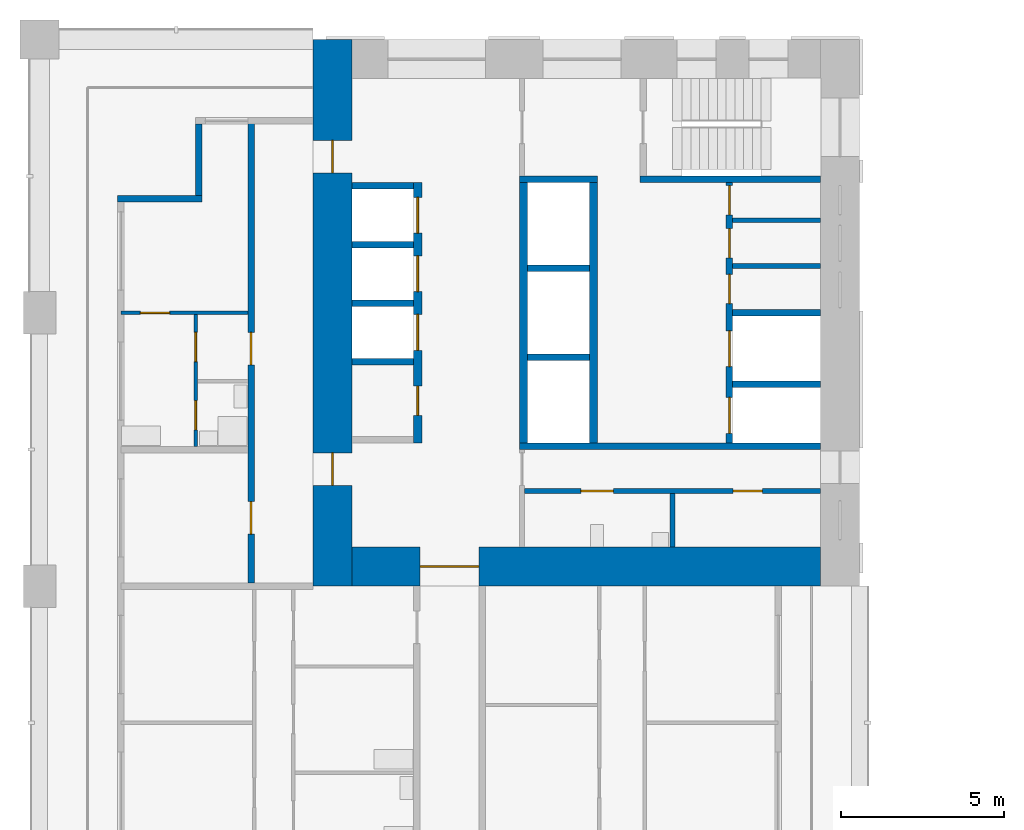
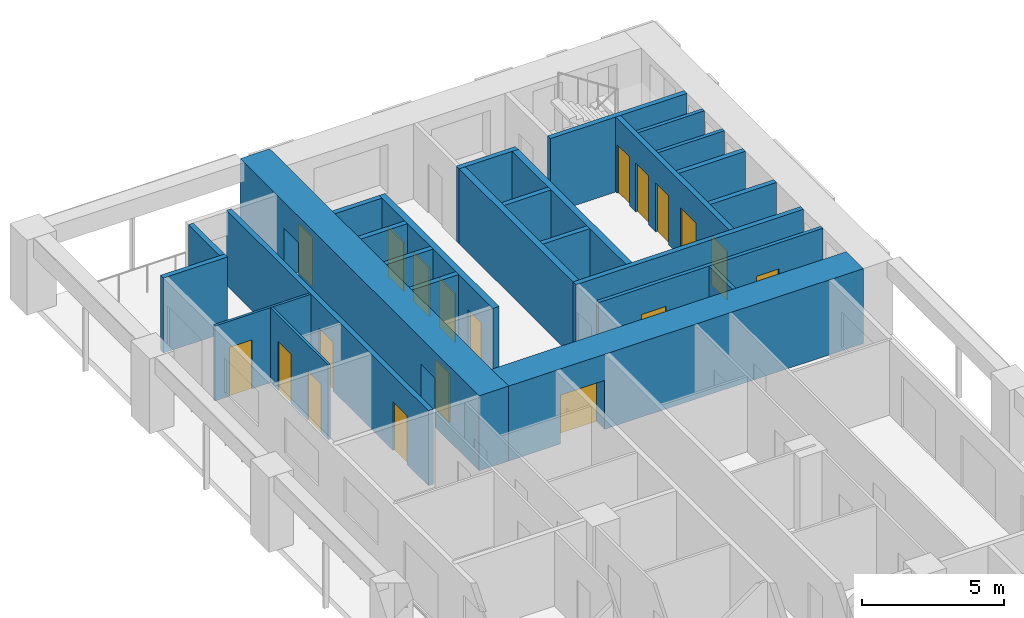
# One storey, part 7 of 17: 26 walls, 19 doors, 19 openings.
"""IFC4 building model written with IfcOpenShell, lengths in metres."""

from ifc_helpers import new_model, si_unit, direction, frame, frame_2d, origin, place, context, subcontext, project, spatial, rectangle, extrude, material, layer, layer_set, type_object, element, fill, save


model = new_model("IFC4")

# Units and contexts
model_context = context("Model", 3, precision=1e-05, world=origin(), true_north=direction((0.0, 1.0)))
body_context = subcontext(model_context, "Body", "Model", "MODEL_VIEW")
ifc_project = project(units=[si_unit("LENGTHUNIT", "METRE"), si_unit("AREAUNIT", "SQUARE_METRE"), si_unit("VOLUMEUNIT", "CUBIC_METRE"), si_unit("PLANEANGLEUNIT", "RADIAN"), si_unit("MASSUNIT", "GRAM", prefix="KILO")], contexts=[model_context])

# Site, building, storey
site_placement = place(None, origin())
site = spatial("IfcSite", under=ifc_project, at=site_placement, CompositionType="ELEMENT")
building_placement = place(site_placement, origin())
building = spatial("IfcBuilding", under=site, at=building_placement, Name="Vermilion Gate Residences", CompositionType="ELEMENT")
storey_placement = place(building_placement, frame((0.0, 0.0, 112.699951171875)))
storey = spatial("IfcBuildingStorey", under=building, at=storey_placement, Name="L28", CompositionType="ELEMENT", Elevation=112.699951171875)

# Walls
ifc_material_1 = material(Name="Masonry blockwork", Category="masonry")
ifc_layer_1 = layer(ifc_material_1, 0.14990234375)
ifc_layer_set_1 = layer_set([ifc_layer_1], Name="BLOCKWORK PARTITION 150 EI 120")
wall_type_1 = type_object("IfcWallType", Name="BLOCKWORK PARTITION 150 EI 120", PredefinedType="PARTITIONING", material=ifc_layer_set_1)
for number, where, z_axis, x_axis, name in (
    (1, (21.300048828125, 53.2451171875, 0.0), (0.0, 0.0, 1.0), (1.0, 0.0, 0.0), "Core room partition B28-NR-P0"),
    (2, (21.300048828125, 51.8349609375, 0.0), (0.0, 0.0, 1.0), (1.0, 0.0, 0.0), "Core room partition B28-NR-P1"),
):
    element("IfcWall", number, at=place(storey_placement, frame(where, z_axis=z_axis, x_axis=x_axis)), inside=storey, type_object=wall_type_1, Name=name, PredefinedType="PARTITIONING", context=body_context, shape_type="SweptSolid", body=[
        extrude(rectangle(XDim=2.699951171875, YDim=0.14990234375, at=frame_2d((1.35009765625, 0.0))), origin(), (0.0, 0.0, 1.0), 3.219970703125),
    ])
wall_1_placement = place(storey_placement, frame((19.449951171875, 44.85009765625, 0.0), z_axis=(0.0, 0.0, 1.0), x_axis=(0.0, -1.0, 0.0)))
element("IfcWall", 3, at=wall_1_placement, inside=storey, type_object=wall_type_1, Name="Core room partition B28-ES-P0", PredefinedType="PARTITIONING", context=body_context, shape_type="SweptSolid", body=[
    extrude(rectangle(XDim=1.650146484375, YDim=0.14990234375, at=frame_2d((0.8251953125, 0.0))), origin(), (0.0, 0.0, 1.0), 3.219970703125),
])

# Wall, openings, doors
wall_2_placement = place(storey_placement, frame((14.89990234375, 44.925048828125, 0.0), z_axis=(0.0, 0.0, 1.0), x_axis=(1.0, 0.0, 0.0)))
wall_2 = element("IfcWall", 4, at=wall_2_placement, inside=storey, type_object=wall_type_1, Name="Core room partition B28-ES-W", PredefinedType="PARTITIONING", context=body_context, shape_type="SweptSolid", body=[
    extrude(rectangle(XDim=9.10009765625, YDim=0.14990234375, at=frame_2d((4.550048828125, 0.0))), origin(), (0.0, 0.0, 1.0), 3.219970703125),
])
opening_1_placement = place(wall_2_placement, frame((1.737548828125, 0.0, 0.0)))
opening_1 = element("IfcOpeningElement", 5, at=opening_1_placement, cuts=wall_2, Name="Opening DK28116", PredefinedType="OPENING", context=body_context, shape_type="SweptSolid", body=[
    extrude(rectangle(XDim=1.0, YDim=2.10009765625, at=frame_2d((0.5, 1.050048828125))), frame((0.0, 0.0849609375, 0.0), z_axis=(0.0, -1.0, 0.0), x_axis=(1.0, 0.0, 0.0)), (0.0, 0.0, 1.0), 0.169921875),
])
opening_2_placement = place(wall_2_placement, frame((6.41259765625, 0.0, 0.0)))
opening_2 = element("IfcOpeningElement", 6, at=opening_2_placement, cuts=wall_2, Name="Opening DK28117", PredefinedType="OPENING", context=body_context, shape_type="SweptSolid", body=[
    extrude(rectangle(XDim=0.89990234375, YDim=2.10009765625, at=frame_2d((0.449951171875, 1.050048828125))), frame((0.0, 0.0849609375, 0.0), z_axis=(0.0, -1.0, 0.0), x_axis=(1.0, 0.0, 0.0)), (0.0, 0.0, 1.0), 0.169921875),
])
ifc_material_2 = material(Name="Steel", Category="steel")
door_type_1 = type_object("IfcDoorType", Name="FIRE DOOR FD60 1000 X 2100", OperationType="SINGLE_SWING_LEFT", PredefinedType="DOOR", material=ifc_material_2)
door_1_placement = place(opening_1_placement, frame((1.0, 0.0, 0.0), z_axis=(0.0, 0.0, 1.0), x_axis=(-1.0, 0.0, 0.0)))
door_1 = element("IfcDoor", 7, at=door_1_placement, inside=storey, type_object=door_type_1, Name="Accessible WC B28", OperationType="SINGLE_SWING_RIGHT", OverallHeight=2.10009765625, OverallWidth=1.0, PredefinedType="DOOR", context=body_context, shape_type="SweptSolid", body=[
    extrude(rectangle(XDim=1.0, YDim=2.10009765625, at=frame_2d((0.5, 1.050048828125))), frame((0.0, 0.02490234375, 0.0), z_axis=(0.0, -1.0, 0.0), x_axis=(1.0, 0.0, 0.0)), (0.0, 0.0, 1.0), 0.050048828125),
])
fill(opening_1, door_1)
ifc_material_3 = material(Name="Steel", Category="steel")
door_type_2 = type_object("IfcDoorType", Name="SERVICE ROOM DOOR FD60 900 X 2100", OperationType="SINGLE_SWING_LEFT", PredefinedType="DOOR", material=ifc_material_3)
door_2_placement = place(opening_2_placement, frame((0.89990234375, 0.0, 0.0), z_axis=(0.0, 0.0, 1.0), x_axis=(-1.0, 0.0, 0.0)))
door_2 = element("IfcDoor", 8, at=door_2_placement, inside=storey, type_object=door_type_2, Name="Refuse room B28", OperationType="SINGLE_SWING_RIGHT", OverallHeight=2.10009765625, OverallWidth=0.89990234375, PredefinedType="DOOR", context=body_context, shape_type="SweptSolid", body=[
    extrude(rectangle(XDim=0.89990234375, YDim=2.10009765625, at=frame_2d((0.449951171875, 1.050048828125))), frame((0.0, 0.02490234375, 0.0), z_axis=(0.0, -1.0, 0.0), x_axis=(1.0, 0.0, 0.0)), (0.0, 0.0, 1.0), 0.050048828125),
])
fill(opening_2, door_2)

# Walls
ifc_material_4 = material(Name="Insulated steel stud wall with terracotta rainscreen", Category="masonry")
ifc_layer_2 = layer(ifc_material_4, 0.199951171875)
ifc_layer_set_2 = layer_set([ifc_layer_2], Name="EXTERNAL WALL 200 TERRACOTTA RAINSCREEN")
wall_type_2 = type_object("IfcWallType", Name="EXTERNAL WALL 200 TERRACOTTA RAINSCREEN", PredefinedType="SOLIDWALL", material=ifc_layer_set_2)
wall_3_placement = place(storey_placement, frame((4.89990234375, 56.199951171875, 0.0), z_axis=(0.0, 0.0, 1.0), x_axis=(0.0, -1.0, 0.0)))
element("IfcWall", 9, at=wall_3_placement, inside=storey, type_object=wall_type_2, Name="External wall", PredefinedType="SOLIDWALL", context=body_context, shape_type="SweptSolid", body=[
    extrude(rectangle(XDim=2.199951171875, YDim=0.199951171875, at=frame_2d((1.10009765625, 0.0))), origin(), (0.0, 0.0, 1.0), 3.219970703125),
])
wall_4_placement = place(storey_placement, frame((5.0, 53.89990234375, 0.0), z_axis=(0.0, 0.0, 1.0), x_axis=(-1.0, 0.0, 0.0)))
element("IfcWall", 10, at=wall_4_placement, inside=storey, type_object=wall_type_2, Name="External wall", PredefinedType="SOLIDWALL", context=body_context, shape_type="SweptSolid", body=[
    extrude(rectangle(XDim=2.60009765625, YDim=0.199951171875, at=frame_2d((1.300048828125, 0.0))), origin(), (0.0, 0.0, 1.0), 3.219970703125),
])

# Wall, opening, door
ifc_material_5 = material(Name="Plasterboard on steel studs", Category="steel")
ifc_layer_3 = layer(ifc_material_5, 0.10009765625)
ifc_layer_set_3 = layer_set([ifc_layer_3], Name="PARTITION 100")
wall_type_3 = type_object("IfcWallType", Name="PARTITION 100", PredefinedType="PARTITIONING", material=ifc_layer_set_3)
wall_5_placement = place(storey_placement, frame((2.5, 50.39990234375, 0.0), z_axis=(0.0, 0.0, 1.0), x_axis=(1.0, 0.0, 0.0)))
wall_5 = element("IfcWall", 11, at=wall_5_placement, inside=storey, type_object=wall_type_3, Name="Partition", PredefinedType="PARTITIONING", context=body_context, shape_type="SweptSolid", body=[
    extrude(rectangle(XDim=3.89990234375, YDim=0.10009765625, at=frame_2d((1.949951171875, 0.0))), origin(), (0.0, 0.0, 1.0), 3.219970703125),
])
opening_3_placement = place(wall_5_placement, frame((0.60009765625, 0.0, 0.0)))
opening_3 = element("IfcOpeningElement", 12, at=opening_3_placement, cuts=wall_5, Name="Opening DA28019", PredefinedType="OPENING", context=body_context, shape_type="SweptSolid", body=[
    extrude(rectangle(XDim=0.89990234375, YDim=2.10009765625, at=frame_2d((0.449951171875, 1.050048828125))), frame((0.0, 0.06005859375, 0.0), z_axis=(0.0, -1.0, 0.0), x_axis=(1.0, 0.0, 0.0)), (0.0, 0.0, 1.0), 0.1201171875),
])
ifc_material_6 = material(Name="Timber", Category="wood")
door_type_3 = type_object("IfcDoorType", Name="INTERIOR DOOR 900 X 2100", OperationType="SINGLE_SWING_LEFT", PredefinedType="DOOR", material=ifc_material_6)
door_3_placement = place(opening_3_placement, frame((0.89990234375, 0.0, 0.0), z_axis=(0.0, 0.0, 1.0), x_axis=(-1.0, 0.0, 0.0)))
door_3 = element("IfcDoor", 13, at=door_3_placement, inside=storey, type_object=door_type_3, Name="Interior door", OperationType="SINGLE_SWING_RIGHT", OverallHeight=2.10009765625, OverallWidth=0.89990234375, PredefinedType="DOOR", context=body_context, shape_type="SweptSolid", body=[
    extrude(rectangle(XDim=0.89990234375, YDim=2.10009765625, at=frame_2d((0.449951171875, 1.050048828125))), frame((0.0, 0.02490234375, 0.0), z_axis=(0.0, -1.0, 0.0), x_axis=(1.0, 0.0, 0.0)), (0.0, 0.0, 1.0), 0.050048828125),
])
fill(opening_3, door_3)

# Wall, openings, doors
wall_6_placement = place(storey_placement, frame((4.800048828125, 46.300048828125, 0.0), z_axis=(0.0, 0.0, 1.0), x_axis=(0.0, 1.0, 0.0)))
wall_6 = element("IfcWall", 14, at=wall_6_placement, inside=storey, type_object=wall_type_3, Name="Partition", PredefinedType="PARTITIONING", context=body_context, shape_type="SweptSolid", body=[
    extrude(rectangle(XDim=4.050048828125, YDim=0.10009765625, at=frame_2d((2.02490234375, 0.0))), origin(), (0.0, 0.0, 1.0), 3.219970703125),
])
opening_4_placement = place(wall_6_placement, frame((2.60009765625, 0.0, 0.0)))
opening_4 = element("IfcOpeningElement", 15, at=opening_4_placement, cuts=wall_6, Name="Opening DA28020", PredefinedType="OPENING", context=body_context, shape_type="SweptSolid", body=[
    extrude(rectangle(XDim=0.89990234375, YDim=2.10009765625, at=frame_2d((0.449951171875, 1.050048828125))), frame((0.0, 0.06005859375, 0.0), z_axis=(0.0, -1.0, 0.0), x_axis=(1.0, 0.0, 0.0)), (0.0, 0.0, 1.0), 0.1201171875),
])
opening_5_placement = place(wall_6_placement, frame((0.5, 0.0, 0.0)))
opening_5 = element("IfcOpeningElement", 16, at=opening_5_placement, cuts=wall_6, Name="Opening DA28021", PredefinedType="OPENING", context=body_context, shape_type="SweptSolid", body=[
    extrude(rectangle(XDim=0.89990234375, YDim=2.10009765625, at=frame_2d((0.449951171875, 1.050048828125))), frame((0.0, 0.06005859375, 0.0), z_axis=(0.0, -1.0, 0.0), x_axis=(1.0, 0.0, 0.0)), (0.0, 0.0, 1.0), 0.1201171875),
])
door_4_placement = place(opening_4_placement, origin())
door_4 = element("IfcDoor", 17, at=door_4_placement, inside=storey, type_object=door_type_3, Name="Interior door", OperationType="SINGLE_SWING_RIGHT", OverallHeight=2.10009765625, OverallWidth=0.89990234375, PredefinedType="DOOR", context=body_context, shape_type="SweptSolid", body=[
    extrude(rectangle(XDim=0.89990234375, YDim=2.10009765625, at=frame_2d((0.449951171875, 1.050048828125))), frame((0.0, 0.02490234375, 0.0), z_axis=(0.0, -1.0, 0.0), x_axis=(1.0, 0.0, 0.0)), (0.0, 0.0, 1.0), 0.050048828125),
])
fill(opening_4, door_4)
door_5_placement = place(opening_5_placement, frame((0.89990234375, 0.0, 0.0), z_axis=(0.0, 0.0, 1.0), x_axis=(-1.0, 0.0, 0.0)))
door_5 = element("IfcDoor", 18, at=door_5_placement, inside=storey, type_object=door_type_3, Name="Interior door", OperationType="SINGLE_SWING_RIGHT", OverallHeight=2.10009765625, OverallWidth=0.89990234375, PredefinedType="DOOR", context=body_context, shape_type="SweptSolid", body=[
    extrude(rectangle(XDim=0.89990234375, YDim=2.10009765625, at=frame_2d((0.449951171875, 1.050048828125))), frame((0.0, 0.02490234375, 0.0), z_axis=(0.0, -1.0, 0.0), x_axis=(1.0, 0.0, 0.0)), (0.0, 0.0, 1.0), 0.050048828125),
])
fill(opening_5, door_5)

ifc_material_7 = material(Name="Fire-rated plasterboard on steel studs", Category="steel")
ifc_layer_4 = layer(ifc_material_7, 0.199951171875)
ifc_layer_set_4 = layer_set([ifc_layer_4], Name="PARTY WALL 200 EI 120")
wall_type_4 = type_object("IfcWallType", Name="PARTY WALL 200 EI 120", PredefinedType="PARTITIONING", material=ifc_layer_set_4)
wall_7_placement = place(storey_placement, frame((6.5, 42.10009765625, 0.0), z_axis=(0.0, 0.0, 1.0), x_axis=(0.0, 1.0, 0.0)))
wall_7 = element("IfcWall", 19, at=wall_7_placement, inside=storey, type_object=wall_type_4, Name="Party and corridor wall", PredefinedType="PARTITIONING", context=body_context, shape_type="SweptSolid", body=[
    extrude(rectangle(XDim=14.199951171875, YDim=0.199951171875, at=frame_2d((7.10009765625, 0.0))), origin(), (0.0, 0.0, 1.0), 3.219970703125),
])
opening_6_placement = place(wall_7_placement, frame((1.5, 0.0, 0.0)))
opening_6 = element("IfcOpeningElement", 20, at=opening_6_placement, cuts=wall_7, Name="Opening DA28022", PredefinedType="OPENING", context=body_context, shape_type="SweptSolid", body=[
    extrude(rectangle(XDim=1.0, YDim=2.10009765625, at=frame_2d((0.5, 1.050048828125))), frame((0.0, 0.10986328125, 0.0), z_axis=(0.0, -1.0, 0.0), x_axis=(1.0, 0.0, 0.0)), (0.0, 0.0, 1.0), 0.219970703125),
])
opening_7_placement = place(wall_7_placement, frame((6.699951171875, 0.0, 0.0)))
opening_7 = element("IfcOpeningElement", 21, at=opening_7_placement, cuts=wall_7, Name="Opening DA28023", PredefinedType="OPENING", context=body_context, shape_type="SweptSolid", body=[
    extrude(rectangle(XDim=1.0, YDim=2.10009765625, at=frame_2d((0.5, 1.050048828125))), frame((0.0, 0.10986328125, 0.0), z_axis=(0.0, -1.0, 0.0), x_axis=(1.0, 0.0, 0.0)), (0.0, 0.0, 1.0), 0.219970703125),
])
ifc_material_8 = material(Name="Steel", Category="steel")
door_type_4 = type_object("IfcDoorType", Name="ENTRANCE DOOR 1000 X 2100 FD30", OperationType="SINGLE_SWING_LEFT", PredefinedType="DOOR", material=ifc_material_8)
door_6_placement = place(opening_6_placement, origin())
door_6 = element("IfcDoor", 22, at=door_6_placement, inside=storey, type_object=door_type_4, Name="Entrance door", OperationType="SINGLE_SWING_LEFT", OverallHeight=2.10009765625, OverallWidth=1.0, PredefinedType="DOOR", context=body_context, shape_type="SweptSolid", body=[
    extrude(rectangle(XDim=1.0, YDim=2.10009765625, at=frame_2d((0.5, 1.050048828125))), frame((0.0, 0.02490234375, 0.0), z_axis=(0.0, -1.0, 0.0), x_axis=(1.0, 0.0, 0.0)), (0.0, 0.0, 1.0), 0.050048828125),
])
fill(opening_6, door_6)
door_7_placement = place(opening_7_placement, origin())
door_7 = element("IfcDoor", 23, at=door_7_placement, inside=storey, type_object=door_type_4, Name="Entrance door", OperationType="SINGLE_SWING_LEFT", OverallHeight=2.10009765625, OverallWidth=1.0, PredefinedType="DOOR", context=body_context, shape_type="SweptSolid", body=[
    extrude(rectangle(XDim=1.0, YDim=2.10009765625, at=frame_2d((0.5, 1.050048828125))), frame((0.0, 0.02490234375, 0.0), z_axis=(0.0, -1.0, 0.0), x_axis=(1.0, 0.0, 0.0)), (0.0, 0.0, 1.0), 0.050048828125),
])
fill(opening_7, door_7)

# Walls
ifc_material_9 = material(Name="Concrete C60", Category="concrete")
ifc_layer_5 = layer(ifc_material_9, 0.199951171875)
ifc_layer_set_5 = layer_set([ifc_layer_5], Name="RC CORE INTERNAL WALL 200 C60")
wall_type_5 = type_object("IfcWallType", Name="RC CORE INTERNAL WALL 200 C60", PredefinedType="SHEAR", material=ifc_layer_set_5)
for number, where, z_axis, x_axis, name in (
    (24, (9.60009765625, 54.300048828125, 0.0), (0.0, 0.0, 1.0), (1.0, 0.0, 0.0), "Core internal wall B28-LR-D0"),
    (25, (9.60009765625, 52.5, 0.0), (0.0, 0.0, 1.0), (1.0, 0.0, 0.0), "Core internal wall B28-LR-D1"),
    (26, (9.60009765625, 50.699951171875, 0.0), (0.0, 0.0, 1.0), (1.0, 0.0, 0.0), "Core internal wall B28-LR-D2"),
    (27, (9.60009765625, 48.89990234375, 0.0), (0.0, 0.0, 1.0), (1.0, 0.0, 0.0), "Core internal wall B28-LR-D3"),
    (28, (15.0, 51.7666015625, 0.0), (0.0, 0.0, 1.0), (1.0, 0.0, 0.0), "Core internal wall B28-HR-D1"),
    (29, (15.0, 49.033447265625, 0.0), (0.0, 0.0, 1.0), (1.0, 0.0, 0.0), "Core internal wall B28-HR-D2"),
):
    element("IfcWall", number, at=place(storey_placement, frame(where, z_axis=z_axis, x_axis=x_axis)), inside=storey, type_object=wall_type_5, Name=name, PredefinedType="SHEAR", context=body_context, shape_type="SweptSolid", body=[
        extrude(rectangle(XDim=1.89990234375, YDim=0.199951171875, at=frame_2d((0.949951171875, 0.0))), origin(), (0.0, 0.0, 1.0), 3.219970703125),
    ])
for number, where, z_axis, x_axis, name in (
    (30, (21.300048828125, 50.39990234375, 0.0), (0.0, 0.0, 1.0), (1.0, 0.0, 0.0), "Core internal wall B28-FF-D0"),
    (31, (21.300048828125, 48.199951171875, 0.0), (0.0, 0.0, 1.0), (1.0, 0.0, 0.0), "Core internal wall B28-FF-D1"),
):
    element("IfcWall", number, at=place(storey_placement, frame(where, z_axis=z_axis, x_axis=x_axis)), inside=storey, type_object=wall_type_5, Name=name, PredefinedType="SHEAR", context=body_context, shape_type="SweptSolid", body=[
        extrude(rectangle(XDim=2.699951171875, YDim=0.199951171875, at=frame_2d((1.35009765625, 0.0))), origin(), (0.0, 0.0, 1.0), 3.219970703125),
    ])

# Wall, openings, doors
wall_8_placement = place(storey_placement, frame((21.199951171875, 54.39990234375, 0.0), z_axis=(0.0, 0.0, 1.0), x_axis=(0.0, -1.0, 0.0)))
wall_8 = element("IfcWall", 32, at=wall_8_placement, inside=storey, type_object=wall_type_5, Name="Core internal wall B28-FF-F", PredefinedType="SHEAR", context=body_context, shape_type="SweptSolid", body=[
    extrude(rectangle(XDim=8.0, YDim=0.199951171875, at=frame_2d((4.0, 0.0))), origin(), (0.0, 0.0, 1.0), 3.219970703125),
])
opening_8_placement = place(wall_8_placement, frame((0.090087890625, 0.0, 0.0)))
opening_8 = element("IfcOpeningElement", 33, at=opening_8_placement, cuts=wall_8, Name="Opening DK28108", PredefinedType="OPENING", context=body_context, shape_type="SweptSolid", body=[
    extrude(rectangle(XDim=0.89990234375, YDim=2.10009765625, at=frame_2d((0.449951171875, 1.050048828125))), frame((0.0, 0.10986328125, 0.0), z_axis=(0.0, -1.0, 0.0), x_axis=(1.0, 0.0, 0.0)), (0.0, 0.0, 1.0), 0.219970703125),
])
opening_9_placement = place(wall_8_placement, frame((1.409912109375, 0.0, 0.0)))
opening_9 = element("IfcOpeningElement", 34, at=opening_9_placement, cuts=wall_8, Name="Opening DK28109", PredefinedType="OPENING", context=body_context, shape_type="SweptSolid", body=[
    extrude(rectangle(XDim=0.89990234375, YDim=2.10009765625, at=frame_2d((0.449951171875, 1.050048828125))), frame((0.0, 0.10986328125, 0.0), z_axis=(0.0, -1.0, 0.0), x_axis=(1.0, 0.0, 0.0)), (0.0, 0.0, 1.0), 0.219970703125),
])
opening_10_placement = place(wall_8_placement, frame((2.820068359375, 0.0, 0.0)))
opening_10 = element("IfcOpeningElement", 35, at=opening_10_placement, cuts=wall_8, Name="Opening DK28110", PredefinedType="OPENING", context=body_context, shape_type="SweptSolid", body=[
    extrude(rectangle(XDim=0.89990234375, YDim=2.10009765625, at=frame_2d((0.449951171875, 1.050048828125))), frame((0.0, 0.10986328125, 0.0), z_axis=(0.0, -1.0, 0.0), x_axis=(1.0, 0.0, 0.0)), (0.0, 0.0, 1.0), 0.219970703125),
])
opening_11_placement = place(wall_8_placement, frame((4.550048828125, 0.0, 0.0)))
opening_11 = element("IfcOpeningElement", 36, at=opening_11_placement, cuts=wall_8, Name="Opening LD", PredefinedType="OPENING", context=body_context, shape_type="SweptSolid", body=[
    extrude(rectangle(XDim=1.10009765625, YDim=2.10009765625, at=frame_2d((0.550048828125, 1.050048828125))), frame((0.0, 0.10986328125, 0.0), z_axis=(0.0, -1.0, 0.0), x_axis=(1.0, 0.0, 0.0)), (0.0, 0.0, 1.0), 0.219970703125),
])
opening_12_placement = place(wall_8_placement, frame((6.60009765625, 0.0, 0.0)))
opening_12 = element("IfcOpeningElement", 37, at=opening_12_placement, cuts=wall_8, Name="Opening LD", PredefinedType="OPENING", context=body_context, shape_type="SweptSolid", body=[
    extrude(rectangle(XDim=1.10009765625, YDim=2.10009765625, at=frame_2d((0.550048828125, 1.050048828125))), frame((0.0, 0.10986328125, 0.0), z_axis=(0.0, -1.0, 0.0), x_axis=(1.0, 0.0, 0.0)), (0.0, 0.0, 1.0), 0.219970703125),
])
ifc_material_10 = material(Name="Stainless steel", Category="steel")
door_type_5 = type_object("IfcDoorType", Name="LIFT LANDING DOOR E60 1100 X 2100", OperationType="DOUBLE_DOOR_SLIDING", PredefinedType="DOOR", material=ifc_material_10)
door_8_placement = place(opening_11_placement, origin())
door_8 = element("IfcDoor", 38, at=door_8_placement, inside=storey, type_object=door_type_5, Name="Lift landing door LFB1", OperationType="DOUBLE_DOOR_SLIDING", OverallHeight=2.10009765625, OverallWidth=1.10009765625, PredefinedType="DOOR", context=body_context, shape_type="SweptSolid", body=[
    extrude(rectangle(XDim=1.10009765625, YDim=2.10009765625, at=frame_2d((0.550048828125, 1.050048828125))), frame((0.0, 0.02490234375, 0.0), z_axis=(0.0, -1.0, 0.0), x_axis=(1.0, 0.0, 0.0)), (0.0, 0.0, 1.0), 0.050048828125),
])
fill(opening_11, door_8)
door_9_placement = place(opening_12_placement, origin())
door_9 = element("IfcDoor", 39, at=door_9_placement, inside=storey, type_object=door_type_5, Name="Lift landing door LCB1", OperationType="DOUBLE_DOOR_SLIDING", OverallHeight=2.10009765625, OverallWidth=1.10009765625, PredefinedType="DOOR", context=body_context, shape_type="SweptSolid", body=[
    extrude(rectangle(XDim=1.10009765625, YDim=2.10009765625, at=frame_2d((0.550048828125, 1.050048828125))), frame((0.0, 0.02490234375, 0.0), z_axis=(0.0, -1.0, 0.0), x_axis=(1.0, 0.0, 0.0)), (0.0, 0.0, 1.0), 0.050048828125),
])
fill(opening_12, door_9)
door_10_placement = place(opening_8_placement, origin())
door_10 = element("IfcDoor", 40, at=door_10_placement, inside=storey, type_object=door_type_2, Name="Electrical riser B28", OperationType="SINGLE_SWING_RIGHT", OverallHeight=2.10009765625, OverallWidth=0.89990234375, PredefinedType="DOOR", context=body_context, shape_type="SweptSolid", body=[
    extrude(rectangle(XDim=0.89990234375, YDim=2.10009765625, at=frame_2d((0.449951171875, 1.050048828125))), frame((0.0, 0.02490234375, 0.0), z_axis=(0.0, -1.0, 0.0), x_axis=(1.0, 0.0, 0.0)), (0.0, 0.0, 1.0), 0.050048828125),
])
fill(opening_8, door_10)
door_11_placement = place(opening_9_placement, origin())
door_11 = element("IfcDoor", 41, at=door_11_placement, inside=storey, type_object=door_type_2, Name="Cleaner's store B28", OperationType="SINGLE_SWING_LEFT", OverallHeight=2.10009765625, OverallWidth=0.89990234375, PredefinedType="DOOR", context=body_context, shape_type="SweptSolid", body=[
    extrude(rectangle(XDim=0.89990234375, YDim=2.10009765625, at=frame_2d((0.449951171875, 1.050048828125))), frame((0.0, 0.02490234375, 0.0), z_axis=(0.0, -1.0, 0.0), x_axis=(1.0, 0.0, 0.0)), (0.0, 0.0, 1.0), 0.050048828125),
])
fill(opening_9, door_11)
door_12_placement = place(opening_10_placement, origin())
door_12 = element("IfcDoor", 42, at=door_12_placement, inside=storey, type_object=door_type_2, Name="Communications riser B28", OperationType="SINGLE_SWING_LEFT", OverallHeight=2.10009765625, OverallWidth=0.89990234375, PredefinedType="DOOR", context=body_context, shape_type="SweptSolid", body=[
    extrude(rectangle(XDim=0.89990234375, YDim=2.10009765625, at=frame_2d((0.449951171875, 1.050048828125))), frame((0.0, 0.02490234375, 0.0), z_axis=(0.0, -1.0, 0.0), x_axis=(1.0, 0.0, 0.0)), (0.0, 0.0, 1.0), 0.050048828125),
])
fill(opening_10, door_12)

# Walls
wall_9_placement = place(storey_placement, frame((14.75, 54.5, 0.0), z_axis=(0.0, 0.0, 1.0), x_axis=(1.0, 0.0, 0.0)))
element("IfcWall", 43, at=wall_9_placement, inside=storey, type_object=wall_type_5, Name="Core internal wall B28-WDIV1", PredefinedType="SHEAR", context=body_context, shape_type="SweptSolid", body=[
    extrude(rectangle(XDim=2.39990234375, YDim=0.199951171875, at=frame_2d((1.199951171875, 0.0))), origin(), (0.0, 0.0, 1.0), 3.219970703125),
])
wall_10_placement = place(storey_placement, frame((18.449951171875, 54.5, 0.0), z_axis=(0.0, 0.0, 1.0), x_axis=(1.0, 0.0, 0.0)))
element("IfcWall", 44, at=wall_10_placement, inside=storey, type_object=wall_type_5, Name="Core internal wall B28-WDIV2", PredefinedType="SHEAR", context=body_context, shape_type="SweptSolid", body=[
    extrude(rectangle(XDim=5.550048828125, YDim=0.199951171875, at=frame_2d((2.77490234375, 0.0))), origin(), (0.0, 0.0, 1.0), 3.219970703125),
])
wall_11_placement = place(storey_placement, frame((14.75, 46.300048828125, 0.0), z_axis=(0.0, 0.0, 1.0), x_axis=(1.0, 0.0, 0.0)))
element("IfcWall", 45, at=wall_11_placement, inside=storey, type_object=wall_type_5, Name="Core internal wall B28-EDIV", PredefinedType="SHEAR", context=body_context, shape_type="SweptSolid", body=[
    extrude(rectangle(XDim=9.25, YDim=0.199951171875, at=frame_2d((4.625, 0.0))), origin(), (0.0, 0.0, 1.0), 3.219970703125),
])

# Wall, openings, doors
ifc_material_11 = material(Name="Concrete C70", Category="concrete")
ifc_layer_6 = layer(ifc_material_11, 1.199951171875)
ifc_layer_set_6 = layer_set([ifc_layer_6], Name="RC CORE WALL 1200 C70")
wall_type_6 = type_object("IfcWallType", Name="RC CORE WALL 1200 C70", PredefinedType="SHEAR", material=ifc_layer_set_6)
wall_12_placement = place(storey_placement, frame((9.0, 58.800048828125, 0.0), z_axis=(0.0, 0.0, 1.0), x_axis=(0.0, -1.0, 0.0)))
wall_12 = element("IfcWall", 46, at=wall_12_placement, inside=storey, type_object=wall_type_6, Name="Core wall B28-OUT-B0", PredefinedType="SHEAR", context=body_context, shape_type="SweptSolid", body=[
    extrude(rectangle(XDim=16.800048828125, YDim=1.199951171875, at=frame_2d((8.39990234375, 0.0))), origin(), (0.0, 0.0, 1.0), 3.219970703125),
])
opening_13_placement = place(wall_12_placement, frame((3.10009765625, 0.0, 0.0)))
opening_13 = element("IfcOpeningElement", 47, at=opening_13_placement, cuts=wall_12, Name="Opening DK28101", PredefinedType="OPENING", context=body_context, shape_type="SweptSolid", body=[
    extrude(rectangle(XDim=1.0, YDim=2.10009765625, at=frame_2d((0.5, 1.050048828125))), frame((0.0, 0.60986328125, 0.0), z_axis=(0.0, -1.0, 0.0), x_axis=(1.0, 0.0, 0.0)), (0.0, 0.0, 1.0), 1.219970703125),
])
opening_14_placement = place(wall_12_placement, frame((12.699951171875, 0.0, 0.0)))
opening_14 = element("IfcOpeningElement", 48, at=opening_14_placement, cuts=wall_12, Name="Opening DK28102", PredefinedType="OPENING", context=body_context, shape_type="SweptSolid", body=[
    extrude(rectangle(XDim=1.0, YDim=2.10009765625, at=frame_2d((0.5, 1.050048828125))), frame((0.0, 0.60986328125, 0.0), z_axis=(0.0, -1.0, 0.0), x_axis=(1.0, 0.0, 0.0)), (0.0, 0.0, 1.0), 1.219970703125),
])
door_13_placement = place(opening_13_placement, origin())
door_13 = element("IfcDoor", 49, at=door_13_placement, inside=storey, type_object=door_type_1, Name="Core lobby side door B28", OperationType="SINGLE_SWING_RIGHT", OverallHeight=2.10009765625, OverallWidth=1.0, PredefinedType="DOOR", context=body_context, shape_type="SweptSolid", body=[
    extrude(rectangle(XDim=1.0, YDim=2.10009765625, at=frame_2d((0.5, 1.050048828125))), frame((0.0, 0.02490234375, 0.0), z_axis=(0.0, -1.0, 0.0), x_axis=(1.0, 0.0, 0.0)), (0.0, 0.0, 1.0), 0.050048828125),
])
fill(opening_13, door_13)
door_14_placement = place(opening_14_placement, origin())
door_14 = element("IfcDoor", 50, at=door_14_placement, inside=storey, type_object=door_type_1, Name="Core lobby side door B28", OperationType="SINGLE_SWING_LEFT", OverallHeight=2.10009765625, OverallWidth=1.0, PredefinedType="DOOR", context=body_context, shape_type="SweptSolid", body=[
    extrude(rectangle(XDim=1.0, YDim=2.10009765625, at=frame_2d((0.5, 1.050048828125))), frame((0.0, 0.02490234375, 0.0), z_axis=(0.0, -1.0, 0.0), x_axis=(1.0, 0.0, 0.0)), (0.0, 0.0, 1.0), 0.050048828125),
])
fill(opening_14, door_14)

# Wall, opening, door
wall_13_placement = place(storey_placement, frame((9.60009765625, 42.60009765625, 0.0), z_axis=(0.0, 0.0, 1.0), x_axis=(1.0, 0.0, 0.0)))
wall_13 = element("IfcWall", 51, at=wall_13_placement, inside=storey, type_object=wall_type_6, Name="Core wall B28-OUT-BK", PredefinedType="SHEAR", context=body_context, shape_type="SweptSolid", body=[
    extrude(rectangle(XDim=14.39990234375, YDim=1.199951171875, at=frame_2d((7.199951171875, 0.0))), origin(), (0.0, 0.0, 1.0), 3.219970703125),
])
opening_15_placement = place(wall_13_placement, frame((2.10009765625, 0.0, 0.0)))
opening_15 = element("IfcOpeningElement", 52, at=opening_15_placement, cuts=wall_13, Name="Opening DK28103", PredefinedType="OPENING", context=body_context, shape_type="SweptSolid", body=[
    extrude(rectangle(XDim=1.800048828125, YDim=2.10009765625, at=frame_2d((0.89990234375, 1.050048828125))), frame((0.0, 0.60986328125, 0.0), z_axis=(0.0, -1.0, 0.0), x_axis=(1.0, 0.0, 0.0)), (0.0, 0.0, 1.0), 1.219970703125),
])
ifc_material_12 = material(Name="Steel", Category="steel")
door_type_6 = type_object("IfcDoorType", Name="CORE LOBBY DOOR FD60 1800 X 2100", OperationType="DOUBLE_DOOR_SINGLE_SWING", PredefinedType="DOOR", material=ifc_material_12)
door_15_placement = place(opening_15_placement, origin())
door_15 = element("IfcDoor", 53, at=door_15_placement, inside=storey, type_object=door_type_6, Name="Core lobby door B28", OperationType="DOUBLE_DOOR_SINGLE_SWING", OverallHeight=2.10009765625, OverallWidth=1.800048828125, PredefinedType="DOOR", context=body_context, shape_type="SweptSolid", body=[
    extrude(rectangle(XDim=1.800048828125, YDim=2.10009765625, at=frame_2d((0.89990234375, 1.050048828125))), frame((0.0, 0.02490234375, 0.0), z_axis=(0.0, -1.0, 0.0), x_axis=(1.0, 0.0, 0.0)), (0.0, 0.0, 1.0), 0.050048828125),
])
fill(opening_15, door_15)

# Wall, openings, doors
ifc_material_13 = material(Name="Concrete C60", Category="concrete")
ifc_layer_7 = layer(ifc_material_13, 0.25)
ifc_layer_set_7 = layer_set([ifc_layer_7], Name="RC LIFT SHAFT WALL 250 C60")
wall_type_7 = type_object("IfcWallType", Name="RC LIFT SHAFT WALL 250 C60", PredefinedType="SHEAR", material=ifc_layer_set_7)
wall_14_placement = place(storey_placement, frame((11.625, 54.39990234375, 0.0), z_axis=(0.0, 0.0, 1.0), x_axis=(0.0, -1.0, 0.0)))
wall_14 = element("IfcWall", 54, at=wall_14_placement, inside=storey, type_object=wall_type_7, Name="Lift shaft wall B28-LR-F", PredefinedType="SHEAR", context=body_context, shape_type="SweptSolid", body=[
    extrude(rectangle(XDim=8.0, YDim=0.25, at=frame_2d((4.0, 0.0))), origin(), (0.0, 0.0, 1.0), 3.219970703125),
])
opening_16_placement = place(wall_14_placement, frame((0.449951171875, 0.0, 0.0)))
opening_16 = element("IfcOpeningElement", 55, at=opening_16_placement, cuts=wall_14, Name="Opening LD", PredefinedType="OPENING", context=body_context, shape_type="SweptSolid", body=[
    extrude(rectangle(XDim=1.10009765625, YDim=2.10009765625, at=frame_2d((0.550048828125, 1.050048828125))), frame((0.0, 0.135009765625, 0.0), z_axis=(0.0, -1.0, 0.0), x_axis=(1.0, 0.0, 0.0)), (0.0, 0.0, 1.0), 0.27001953125),
])
opening_17_placement = place(wall_14_placement, frame((2.25, 0.0, 0.0)))
opening_17 = element("IfcOpeningElement", 56, at=opening_17_placement, cuts=wall_14, Name="Opening LD", PredefinedType="OPENING", context=body_context, shape_type="SweptSolid", body=[
    extrude(rectangle(XDim=1.10009765625, YDim=2.10009765625, at=frame_2d((0.550048828125, 1.050048828125))), frame((0.0, 0.135009765625, 0.0), z_axis=(0.0, -1.0, 0.0), x_axis=(1.0, 0.0, 0.0)), (0.0, 0.0, 1.0), 0.27001953125),
])
opening_18_placement = place(wall_14_placement, frame((4.050048828125, 0.0, 0.0)))
opening_18 = element("IfcOpeningElement", 57, at=opening_18_placement, cuts=wall_14, Name="Opening LD", PredefinedType="OPENING", context=body_context, shape_type="SweptSolid", body=[
    extrude(rectangle(XDim=1.10009765625, YDim=2.10009765625, at=frame_2d((0.550048828125, 1.050048828125))), frame((0.0, 0.135009765625, 0.0), z_axis=(0.0, -1.0, 0.0), x_axis=(1.0, 0.0, 0.0)), (0.0, 0.0, 1.0), 0.27001953125),
])
opening_19_placement = place(wall_14_placement, frame((6.25, 0.0, 0.0)))
opening_19 = element("IfcOpeningElement", 58, at=opening_19_placement, cuts=wall_14, Name="Opening DK28107", PredefinedType="OPENING", context=body_context, shape_type="SweptSolid", body=[
    extrude(rectangle(XDim=0.89990234375, YDim=2.10009765625, at=frame_2d((0.449951171875, 1.050048828125))), frame((0.0, 0.135009765625, 0.0), z_axis=(0.0, -1.0, 0.0), x_axis=(1.0, 0.0, 0.0)), (0.0, 0.0, 1.0), 0.27001953125),
])
door_16_placement = place(opening_16_placement, origin())
door_16 = element("IfcDoor", 59, at=door_16_placement, inside=storey, type_object=door_type_5, Name="Lift landing door LRB1", OperationType="DOUBLE_DOOR_SLIDING", OverallHeight=2.10009765625, OverallWidth=1.10009765625, PredefinedType="DOOR", context=body_context, shape_type="SweptSolid", body=[
    extrude(rectangle(XDim=1.10009765625, YDim=2.10009765625, at=frame_2d((0.550048828125, 1.050048828125))), frame((0.0, 0.02490234375, 0.0), z_axis=(0.0, -1.0, 0.0), x_axis=(1.0, 0.0, 0.0)), (0.0, 0.0, 1.0), 0.050048828125),
])
fill(opening_16, door_16)
door_17_placement = place(opening_17_placement, origin())
door_17 = element("IfcDoor", 60, at=door_17_placement, inside=storey, type_object=door_type_5, Name="Lift landing door LRB2", OperationType="DOUBLE_DOOR_SLIDING", OverallHeight=2.10009765625, OverallWidth=1.10009765625, PredefinedType="DOOR", context=body_context, shape_type="SweptSolid", body=[
    extrude(rectangle(XDim=1.10009765625, YDim=2.10009765625, at=frame_2d((0.550048828125, 1.050048828125))), frame((0.0, 0.02490234375, 0.0), z_axis=(0.0, -1.0, 0.0), x_axis=(1.0, 0.0, 0.0)), (0.0, 0.0, 1.0), 0.050048828125),
])
fill(opening_17, door_17)
door_18_placement = place(opening_18_placement, origin())
door_18 = element("IfcDoor", 61, at=door_18_placement, inside=storey, type_object=door_type_5, Name="Lift landing door LRB3", OperationType="DOUBLE_DOOR_SLIDING", OverallHeight=2.10009765625, OverallWidth=1.10009765625, PredefinedType="DOOR", context=body_context, shape_type="SweptSolid", body=[
    extrude(rectangle(XDim=1.10009765625, YDim=2.10009765625, at=frame_2d((0.550048828125, 1.050048828125))), frame((0.0, 0.02490234375, 0.0), z_axis=(0.0, -1.0, 0.0), x_axis=(1.0, 0.0, 0.0)), (0.0, 0.0, 1.0), 0.050048828125),
])
fill(opening_18, door_18)
door_19_placement = place(opening_19_placement, frame((0.89990234375, 0.0, 0.0), z_axis=(0.0, 0.0, 1.0), x_axis=(-1.0, 0.0, 0.0)))
door_19 = element("IfcDoor", 62, at=door_19_placement, inside=storey, type_object=door_type_2, Name="Cleaner's store B28", OperationType="SINGLE_SWING_RIGHT", OverallHeight=2.10009765625, OverallWidth=0.89990234375, PredefinedType="DOOR", context=body_context, shape_type="SweptSolid", body=[
    extrude(rectangle(XDim=0.89990234375, YDim=2.10009765625, at=frame_2d((0.449951171875, 1.050048828125))), frame((0.0, 0.02490234375, 0.0), z_axis=(0.0, -1.0, 0.0), x_axis=(1.0, 0.0, 0.0)), (0.0, 0.0, 1.0), 0.050048828125),
])
fill(opening_19, door_19)

# Walls
for number, where, z_axis, x_axis, name in (
    (63, (14.875, 54.39990234375, 0.0), (0.0, 0.0, 1.0), (0.0, -1.0, 0.0), "Lift shaft wall B28-HR-F"),
    (64, (17.02490234375, 54.39990234375, 0.0), (0.0, 0.0, 1.0), (0.0, -1.0, 0.0), "Lift shaft wall B28-HR-B"),
):
    element("IfcWall", number, at=place(storey_placement, frame(where, z_axis=z_axis, x_axis=x_axis)), inside=storey, type_object=wall_type_7, Name=name, PredefinedType="SHEAR", context=body_context, shape_type="SweptSolid", body=[
        extrude(rectangle(XDim=8.0, YDim=0.25, at=frame_2d((4.0, 0.0))), origin(), (0.0, 0.0, 1.0), 3.219970703125),
    ])

save(model, "model.ifc")
